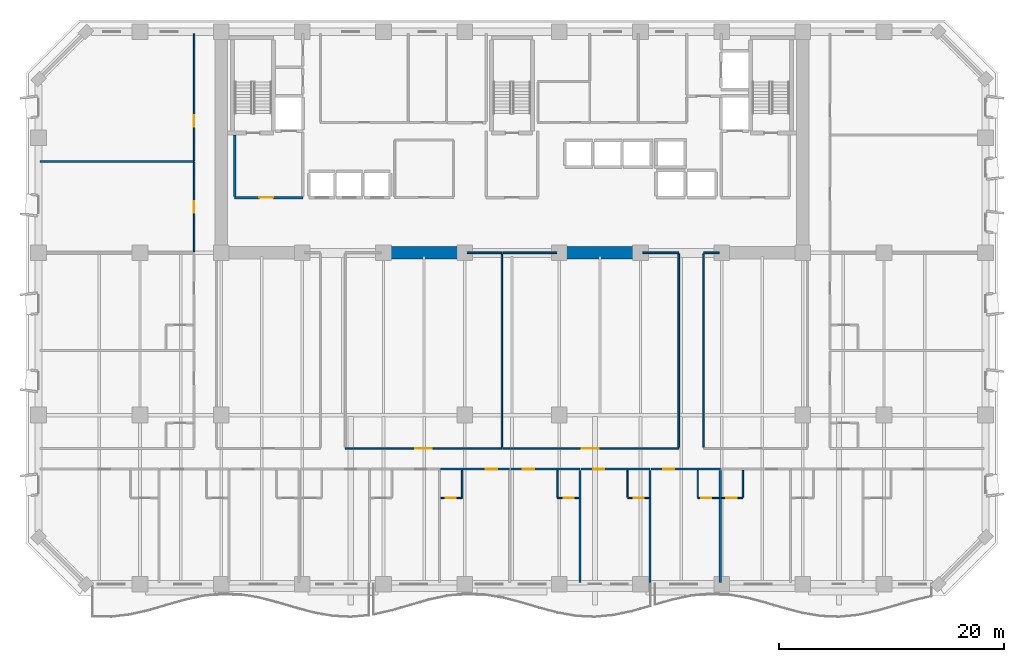
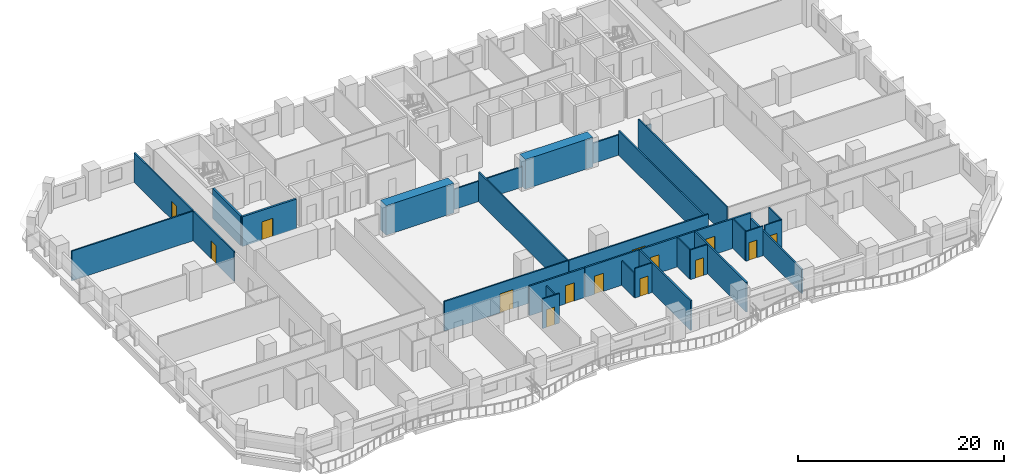
# One storey, part 6 of 15: 33 walls, 14 doors, 14 openings.
"""IFC4 building model written with IfcOpenShell, lengths in metres."""

from ifc_helpers import new_model, si_unit, direction, frame, frame_2d, origin, place, context, subcontext, project, spatial, rectangle, extrude, material, layer, layer_set, type_object, element, fill, save


model = new_model("IFC4")

# Units and contexts
model_context = context("Model", 3, precision=1e-05, world=origin(), true_north=direction((0.0, 1.0)))
body_context = subcontext(model_context, "Body", "Model", "MODEL_VIEW")
ifc_project = project(units=[si_unit("LENGTHUNIT", "METRE"), si_unit("AREAUNIT", "SQUARE_METRE"), si_unit("VOLUMEUNIT", "CUBIC_METRE"), si_unit("PLANEANGLEUNIT", "RADIAN"), si_unit("MASSUNIT", "GRAM", prefix="KILO")], contexts=[model_context])

# Site, building, storey
site_placement = place(None, origin())
site = spatial("IfcSite", under=ifc_project, at=site_placement, CompositionType="ELEMENT")
building_placement = place(site_placement, origin())
building = spatial("IfcBuilding", under=site, at=building_placement, Name="Kaelvorn Grand Hotel", CompositionType="ELEMENT")
storey_placement = place(building_placement, frame((0.0, 0.0, 46.39990234375)))
storey = spatial("IfcBuildingStorey", under=building, at=storey_placement, Name="L09", CompositionType="ELEMENT", Elevation=46.39990234375)

# Walls
ifc_material_1 = material(Name="Concrete C80/95", Category="concrete")
ifc_layer_1 = layer(ifc_material_1, 1.10009765625)
ifc_layer_set_1 = layer_set([ifc_layer_1], Name="Concrete C80/95")
wall_type_1 = type_object("IfcWallType", Name="WL-CORE-1100-C80", PredefinedType="SHEAR", material=ifc_layer_set_1)
for number, where, z_axis, x_axis, name in (
    (1, (30.39990234375, 29.39990234375, 0.0), (0.0, 0.0, 1.0), (1.0, 0.0, 0.0), "L09 Rear-Core Coupled Shear Pier S2"),
    (2, (46.0, 29.39990234375, 0.0), (0.0, 0.0, 1.0), (1.0, 0.0, 0.0), "L09 Rear-Core Coupled Shear Pier S3"),
):
    element("IfcWall", number, at=place(storey_placement, frame(where, z_axis=z_axis, x_axis=x_axis)), inside=storey, type_object=wall_type_1, Name=name, PredefinedType="SHEAR", context=body_context, shape_type="SweptSolid", body=[
        extrude(rectangle(XDim=7.60009765625, YDim=1.10009765625, at=frame_2d((3.800048828125, 0.0))), origin(), (0.0, 0.0, 1.0), 3.510009765625),
    ])

# Wall, opening, door
ifc_material_2 = material(Name="Moisture-Resistant Tile & Stud Board")
ifc_layer_2 = layer(ifc_material_2, 0.125)
ifc_layer_set_2 = layer_set([ifc_layer_2], Name="Moisture-Resistant Tile & Stud Board")
wall_type_2 = type_object("IfcWallType", Name="WL-PART-125-WET", PredefinedType="PARTITIONING", material=ifc_layer_set_2)
wall_1_placement = place(storey_placement, frame((35.669189453125, 7.64990234375, 0.0), z_axis=(0.0, 0.0, 1.0), x_axis=(1.0, 0.0, 0.0)))
wall_1 = element("IfcWall", 3, at=wall_1_placement, inside=storey, type_object=wall_type_2, Name="L09 En-suite Bathroom L09-06 S Partition", PredefinedType="PARTITIONING", context=body_context, shape_type="SweptSolid", body=[
    extrude(rectangle(XDim=1.905029296875, YDim=0.125, at=frame_2d((0.95263671875, 0.0))), origin(), (0.0, 0.0, 1.0), 3.510009765625),
])
opening_1_placement = place(wall_1_placement, frame((0.455078125, 0.0, 0.0)))
opening_1 = element("IfcOpeningElement", 4, at=opening_1_placement, cuts=wall_1, Name="Opening DI4", PredefinedType="OPENING", context=body_context, shape_type="SweptSolid", body=[
    extrude(rectangle(XDim=0.89990234375, YDim=2.10009765625, at=frame_2d((0.449951171875, 1.050048828125))), frame((0.0, 0.072509765625, 0.0), z_axis=(0.0, -1.0, 0.0), x_axis=(1.0, 0.0, 0.0)), (0.0, 0.0, 1.0), 0.14501953125),
])
ifc_material_3 = material(Name="Timber Veneer Leaf", Category="wood")
door_type_1 = type_object("IfcDoorType", Name="DR-INT-BATH-900x2100", OperationType="NOTDEFINED", PredefinedType="DOOR", material=ifc_material_3)
door_1_placement = place(opening_1_placement, origin())
door_1 = element("IfcDoor", 5, at=door_1_placement, inside=storey, type_object=door_type_1, Name="L09 En-suite Bathroom L09-06 Door", OperationType="SINGLE_SWING_RIGHT", OverallHeight=2.10009765625, OverallWidth=0.89990234375, PredefinedType="DOOR", context=body_context, shape_type="SweptSolid", body=[
    extrude(rectangle(XDim=0.89990234375, YDim=2.10009765625, at=frame_2d((0.449951171875, 1.050048828125))), frame((0.0, 0.02490234375, 0.0), z_axis=(0.0, -1.0, 0.0), x_axis=(1.0, 0.0, 0.0)), (0.0, 0.0, 1.0), 0.050048828125),
])
fill(opening_1, door_1)

# Wall
wall_2_placement = place(storey_placement, frame((37.57421875, 7.717529296875, 0.0), z_axis=(0.0, 0.0, 1.0), x_axis=(0.0, 1.0, 0.0)))
element("IfcWall", 6, at=wall_2_placement, inside=storey, type_object=wall_type_2, Name="L09 En-suite Bathroom L09-06 E Partition", PredefinedType="PARTITIONING", context=body_context, shape_type="SweptSolid", body=[
    extrude(rectangle(XDim=2.387451171875, YDim=0.125, at=frame_2d((1.19384765625, 0.0))), origin(), (0.0, 0.0, 1.0), 2.89794921875),
])

# Wall, opening, door
wall_3_placement = place(storey_placement, frame((46.024169921875, 7.64990234375, 0.0), z_axis=(0.0, 0.0, 1.0), x_axis=(1.0, 0.0, 0.0)))
wall_3 = element("IfcWall", 7, at=wall_3_placement, inside=storey, type_object=wall_type_2, Name="L09 En-suite Bathroom L09-07 S Partition", PredefinedType="PARTITIONING", context=body_context, shape_type="SweptSolid", body=[
    extrude(rectangle(XDim=1.905029296875, YDim=0.125, at=frame_2d((0.95263671875, 0.0))), origin(), (0.0, 0.0, 1.0), 3.510009765625),
])
opening_2_placement = place(wall_3_placement, frame((0.550048828125, 0.0, 0.0)))
opening_2 = element("IfcOpeningElement", 8, at=opening_2_placement, cuts=wall_3, Name="Opening DI4", PredefinedType="OPENING", context=body_context, shape_type="SweptSolid", body=[
    extrude(rectangle(XDim=0.89990234375, YDim=2.10009765625, at=frame_2d((0.449951171875, 1.050048828125))), frame((0.0, 0.072509765625, 0.0), z_axis=(0.0, -1.0, 0.0), x_axis=(1.0, 0.0, 0.0)), (0.0, 0.0, 1.0), 0.14501953125),
])
door_2_placement = place(opening_2_placement, origin())
door_2 = element("IfcDoor", 9, at=door_2_placement, inside=storey, type_object=door_type_1, Name="L09 En-suite Bathroom L09-07 Door", OperationType="SINGLE_SWING_RIGHT", OverallHeight=2.10009765625, OverallWidth=0.89990234375, PredefinedType="DOOR", context=body_context, shape_type="SweptSolid", body=[
    extrude(rectangle(XDim=0.89990234375, YDim=2.10009765625, at=frame_2d((0.449951171875, 1.050048828125))), frame((0.0, 0.02490234375, 0.0), z_axis=(0.0, -1.0, 0.0), x_axis=(1.0, 0.0, 0.0)), (0.0, 0.0, 1.0), 0.050048828125),
])
fill(opening_2, door_2)

# Wall
wall_4_placement = place(storey_placement, frame((46.024169921875, 7.717529296875, 0.0), z_axis=(0.0, 0.0, 1.0), x_axis=(0.0, 1.0, 0.0)))
element("IfcWall", 10, at=wall_4_placement, inside=storey, type_object=wall_type_2, Name="L09 En-suite Bathroom L09-07 W Partition", PredefinedType="PARTITIONING", context=body_context, shape_type="SweptSolid", body=[
    extrude(rectangle(XDim=2.387451171875, YDim=0.125, at=frame_2d((1.19384765625, 0.0))), origin(), (0.0, 0.0, 1.0), 2.89794921875),
])

# Wall, opening, door
wall_5_placement = place(storey_placement, frame((52.248779296875, 7.64990234375, 0.0), z_axis=(0.0, 0.0, 1.0), x_axis=(1.0, 0.0, 0.0)))
wall_5 = element("IfcWall", 11, at=wall_5_placement, inside=storey, type_object=wall_type_2, Name="L09 En-suite Bathroom L09-08 S Partition", PredefinedType="PARTITIONING", context=body_context, shape_type="SweptSolid", body=[
    extrude(rectangle(XDim=1.905029296875, YDim=0.125, at=frame_2d((0.95263671875, 0.0))), origin(), (0.0, 0.0, 1.0), 3.510009765625),
])
opening_3_placement = place(wall_5_placement, frame((0.550048828125, 0.0, 0.0)))
opening_3 = element("IfcOpeningElement", 12, at=opening_3_placement, cuts=wall_5, Name="Opening DI4", PredefinedType="OPENING", context=body_context, shape_type="SweptSolid", body=[
    extrude(rectangle(XDim=0.89990234375, YDim=2.10009765625, at=frame_2d((0.449951171875, 1.050048828125))), frame((0.0, 0.072509765625, 0.0), z_axis=(0.0, -1.0, 0.0), x_axis=(1.0, 0.0, 0.0)), (0.0, 0.0, 1.0), 0.14501953125),
])
door_3_placement = place(opening_3_placement, origin())
door_3 = element("IfcDoor", 13, at=door_3_placement, inside=storey, type_object=door_type_1, Name="L09 En-suite Bathroom L09-08 Door", OperationType="SINGLE_SWING_RIGHT", OverallHeight=2.10009765625, OverallWidth=0.89990234375, PredefinedType="DOOR", context=body_context, shape_type="SweptSolid", body=[
    extrude(rectangle(XDim=0.89990234375, YDim=2.10009765625, at=frame_2d((0.449951171875, 1.050048828125))), frame((0.0, 0.02490234375, 0.0), z_axis=(0.0, -1.0, 0.0), x_axis=(1.0, 0.0, 0.0)), (0.0, 0.0, 1.0), 0.050048828125),
])
fill(opening_3, door_3)

# Wall
wall_6_placement = place(storey_placement, frame((52.248779296875, 7.717529296875, 0.0), z_axis=(0.0, 0.0, 1.0), x_axis=(0.0, 1.0, 0.0)))
element("IfcWall", 14, at=wall_6_placement, inside=storey, type_object=wall_type_2, Name="L09 En-suite Bathroom L09-08 W Partition", PredefinedType="PARTITIONING", context=body_context, shape_type="SweptSolid", body=[
    extrude(rectangle(XDim=2.387451171875, YDim=0.125, at=frame_2d((1.19384765625, 0.0))), origin(), (0.0, 0.0, 1.0), 3.510009765625),
])

# Wall, opening, door
wall_7_placement = place(storey_placement, frame((58.473876953125, 7.64990234375, 0.0), z_axis=(0.0, 0.0, 1.0), x_axis=(1.0, 0.0, 0.0)))
wall_7 = element("IfcWall", 15, at=wall_7_placement, inside=storey, type_object=wall_type_2, Name="L09 En-suite Bathroom L09-09 S Partition", PredefinedType="PARTITIONING", context=body_context, shape_type="SweptSolid", body=[
    extrude(rectangle(XDim=1.905029296875, YDim=0.125, at=frame_2d((0.95263671875, 0.0))), origin(), (0.0, 0.0, 1.0), 3.510009765625),
])
opening_4_placement = place(wall_7_placement, frame((0.300048828125, 0.0, 0.0)))
opening_4 = element("IfcOpeningElement", 16, at=opening_4_placement, cuts=wall_7, Name="Opening DI4", PredefinedType="OPENING", context=body_context, shape_type="SweptSolid", body=[
    extrude(rectangle(XDim=0.89990234375, YDim=2.10009765625, at=frame_2d((0.449951171875, 1.050048828125))), frame((0.0, 0.072509765625, 0.0), z_axis=(0.0, -1.0, 0.0), x_axis=(1.0, 0.0, 0.0)), (0.0, 0.0, 1.0), 0.14501953125),
])
door_4_placement = place(opening_4_placement, origin())
door_4 = element("IfcDoor", 17, at=door_4_placement, inside=storey, type_object=door_type_1, Name="L09 En-suite Bathroom L09-09 Door", OperationType="SINGLE_SWING_RIGHT", OverallHeight=2.10009765625, OverallWidth=0.89990234375, PredefinedType="DOOR", context=body_context, shape_type="SweptSolid", body=[
    extrude(rectangle(XDim=0.89990234375, YDim=2.10009765625, at=frame_2d((0.449951171875, 1.050048828125))), frame((0.0, 0.02490234375, 0.0), z_axis=(0.0, -1.0, 0.0), x_axis=(1.0, 0.0, 0.0)), (0.0, 0.0, 1.0), 0.050048828125),
])
fill(opening_4, door_4)

# Wall
wall_8_placement = place(storey_placement, frame((58.473876953125, 7.717529296875, 0.0), z_axis=(0.0, 0.0, 1.0), x_axis=(0.0, 1.0, 0.0)))
element("IfcWall", 18, at=wall_8_placement, inside=storey, type_object=wall_type_2, Name="L09 En-suite Bathroom L09-09 W Partition", PredefinedType="PARTITIONING", context=body_context, shape_type="SweptSolid", body=[
    extrude(rectangle(XDim=2.387451171875, YDim=0.125, at=frame_2d((1.19384765625, 0.0))), origin(), (0.0, 0.0, 1.0), 3.510009765625),
])

# Wall, opening, door
wall_9_placement = place(storey_placement, frame((60.56884765625, 7.64990234375, 0.0), z_axis=(0.0, 0.0, 1.0), x_axis=(1.0, 0.0, 0.0)))
wall_9 = element("IfcWall", 19, at=wall_9_placement, inside=storey, type_object=wall_type_2, Name="L09 En-suite Bathroom L09-10 S Partition", PredefinedType="PARTITIONING", context=body_context, shape_type="SweptSolid", body=[
    extrude(rectangle(XDim=1.905029296875, YDim=0.125, at=frame_2d((0.95263671875, 0.0))), origin(), (0.0, 0.0, 1.0), 3.510009765625),
])
opening_5_placement = place(wall_9_placement, frame((0.455078125, 0.0, 0.0)))
opening_5 = element("IfcOpeningElement", 20, at=opening_5_placement, cuts=wall_9, Name="Opening DI4", PredefinedType="OPENING", context=body_context, shape_type="SweptSolid", body=[
    extrude(rectangle(XDim=0.89990234375, YDim=2.10009765625, at=frame_2d((0.449951171875, 1.050048828125))), frame((0.0, 0.072509765625, 0.0), z_axis=(0.0, -1.0, 0.0), x_axis=(1.0, 0.0, 0.0)), (0.0, 0.0, 1.0), 0.14501953125),
])
door_5_placement = place(opening_5_placement, origin())
door_5 = element("IfcDoor", 21, at=door_5_placement, inside=storey, type_object=door_type_1, Name="L09 En-suite Bathroom L09-10 Door", OperationType="SINGLE_SWING_RIGHT", OverallHeight=2.10009765625, OverallWidth=0.89990234375, PredefinedType="DOOR", context=body_context, shape_type="SweptSolid", body=[
    extrude(rectangle(XDim=0.89990234375, YDim=2.10009765625, at=frame_2d((0.449951171875, 1.050048828125))), frame((0.0, 0.02490234375, 0.0), z_axis=(0.0, -1.0, 0.0), x_axis=(1.0, 0.0, 0.0)), (0.0, 0.0, 1.0), 0.050048828125),
])
fill(opening_5, door_5)

# Wall
wall_10_placement = place(storey_placement, frame((62.473876953125, 7.717529296875, 0.0), z_axis=(0.0, 0.0, 1.0), x_axis=(0.0, 1.0, 0.0)))
element("IfcWall", 22, at=wall_10_placement, inside=storey, type_object=wall_type_2, Name="L09 En-suite Bathroom L09-10 E Partition", PredefinedType="PARTITIONING", context=body_context, shape_type="SweptSolid", body=[
    extrude(rectangle(XDim=2.387451171875, YDim=0.125, at=frame_2d((1.19384765625, 0.0))), origin(), (0.0, 0.0, 1.0), 3.510009765625),
])

# Wall, opening, door
ifc_material_4 = material(Name="Acoustic Gypsum & Stud Partition")
ifc_layer_3 = layer(ifc_material_4, 0.14990234375)
ifc_layer_set_3 = layer_set([ifc_layer_3], Name="Acoustic Gypsum & Stud Partition")
wall_type_3 = type_object("IfcWallType", Name="WL-PART-150-EI60", PredefinedType="PARTITIONING", material=ifc_layer_set_3)
wall_11_placement = place(storey_placement, frame((27.199951171875, 12.050048828125, 0.0), z_axis=(0.0, 0.0, 1.0), x_axis=(1.0, 0.0, 0.0)))
wall_11 = element("IfcWall", 23, at=wall_11_placement, inside=storey, type_object=wall_type_3, Name="L09 Hospitality Tea Kitchen S Partition", PredefinedType="PARTITIONING", context=body_context, shape_type="SweptSolid", body=[
    extrude(rectangle(XDim=13.900146484375, YDim=0.14990234375, at=frame_2d((6.9501953125, 0.0))), origin(), (0.0, 0.0, 1.0), 3.510009765625),
])
opening_6_placement = place(wall_11_placement, frame((6.199951171875, 0.0, 0.0)))
opening_6 = element("IfcOpeningElement", 24, at=opening_6_placement, cuts=wall_11, Name="Opening DI5", PredefinedType="OPENING", context=body_context, shape_type="SweptSolid", body=[
    extrude(rectangle(XDim=1.5, YDim=2.25, at=frame_2d((0.75, 1.125))), frame((0.0, 0.0849609375, 0.0), z_axis=(0.0, -1.0, 0.0), x_axis=(1.0, 0.0, 0.0)), (0.0, 0.0, 1.0), 0.169921875),
])
ifc_material_5 = material(Name="Timber Veneer Fire Leaf", Category="wood")
door_type_2 = type_object("IfcDoorType", Name="DR-INT-SALON-1500x2250", OperationType="DOUBLE_DOOR_SINGLE_SWING", PredefinedType="DOOR", material=ifc_material_5)
door_6_placement = place(opening_6_placement, origin())
door_6 = element("IfcDoor", 25, at=door_6_placement, inside=storey, type_object=door_type_2, Name="L09 Hospitality Tea Kitchen Door", OperationType="DOUBLE_DOOR_SINGLE_SWING", OverallHeight=2.25, OverallWidth=1.5, PredefinedType="DOOR", context=body_context, shape_type="SweptSolid", body=[
    extrude(rectangle(XDim=1.5, YDim=2.25, at=frame_2d((0.75, 1.125))), frame((0.0, 0.02490234375, 0.0), z_axis=(0.0, -1.0, 0.0), x_axis=(1.0, 0.0, 0.0)), (0.0, 0.0, 1.0), 0.050048828125),
])
fill(opening_6, door_6)

# Walls
wall_12_placement = place(storey_placement, frame((38.010009765625, 29.39990234375, 0.0), z_axis=(0.0, 0.0, 1.0), x_axis=(1.0, 0.0, 0.0)))
element("IfcWall", 26, at=wall_12_placement, inside=storey, type_object=wall_type_3, Name="L09 Hospitality Tea Kitchen N Partition (2)", PredefinedType="PARTITIONING", context=body_context, shape_type="SweptSolid", body=[
    extrude(rectangle(XDim=3.090087890625, YDim=0.14990234375, at=frame_2d((1.544921875, 0.0))), origin(), (0.0, 0.0, 1.0), 2.41015625),
])
wall_13_placement = place(storey_placement, frame((41.10009765625, 12.1298828125, 0.0), z_axis=(0.0, 0.0, 1.0), x_axis=(0.0, 1.0, 0.0)))
element("IfcWall", 27, at=wall_13_placement, inside=storey, type_object=wall_type_3, Name="L09 Hospitality Tea Kitchen E Partition", PredefinedType="PARTITIONING", context=body_context, shape_type="SweptSolid", body=[
    extrude(rectangle(XDim=17.190185546875, YDim=0.14990234375, at=frame_2d((8.59521484375, 0.0))), origin(), (0.0, 0.0, 1.0), 3.510009765625),
])

# Wall, opening, door
wall_14_placement = place(storey_placement, frame((41.179931640625, 12.050048828125, 0.0), z_axis=(0.0, 0.0, 1.0), x_axis=(1.0, 0.0, 0.0)))
wall_14 = element("IfcWall", 28, at=wall_14_placement, inside=storey, type_object=wall_type_3, Name="L09 Executive Study Office S Partition", PredefinedType="PARTITIONING", context=body_context, shape_type="SweptSolid", body=[
    extrude(rectangle(XDim=15.6201171875, YDim=0.14990234375, at=frame_2d((7.81005859375, 0.0))), origin(), (0.0, 0.0, 1.0), 3.510009765625),
])
opening_7_placement = place(wall_14_placement, frame((7.02001953125, 0.0, 0.0)))
opening_7 = element("IfcOpeningElement", 29, at=opening_7_placement, cuts=wall_14, Name="Opening DI5", PredefinedType="OPENING", context=body_context, shape_type="SweptSolid", body=[
    extrude(rectangle(XDim=1.5, YDim=2.25, at=frame_2d((0.75, 1.125))), frame((0.0, 0.0849609375, 0.0), z_axis=(0.0, -1.0, 0.0), x_axis=(1.0, 0.0, 0.0)), (0.0, 0.0, 1.0), 0.169921875),
])
door_7_placement = place(opening_7_placement, origin())
door_7 = element("IfcDoor", 30, at=door_7_placement, inside=storey, type_object=door_type_2, Name="L09 Executive Study Office Door", OperationType="DOUBLE_DOOR_SINGLE_SWING", OverallHeight=2.25, OverallWidth=1.5, PredefinedType="DOOR", context=body_context, shape_type="SweptSolid", body=[
    extrude(rectangle(XDim=1.5, YDim=2.25, at=frame_2d((0.75, 1.125))), frame((0.0, 0.02490234375, 0.0), z_axis=(0.0, -1.0, 0.0), x_axis=(1.0, 0.0, 0.0)), (0.0, 0.0, 1.0), 0.050048828125),
])
fill(opening_7, door_7)

# Walls
wall_15_placement = place(storey_placement, frame((41.179931640625, 29.39990234375, 0.0), z_axis=(0.0, 0.0, 1.0), x_axis=(1.0, 0.0, 0.0)))
element("IfcWall", 31, at=wall_15_placement, inside=storey, type_object=wall_type_3, Name="L09 Executive Study Office N Partition (1)", PredefinedType="PARTITIONING", context=body_context, shape_type="SweptSolid", body=[
    extrude(rectangle(XDim=4.81005859375, YDim=0.14990234375, at=frame_2d((2.405029296875, 0.0))), origin(), (0.0, 0.0, 1.0), 2.41015625),
])
wall_16_placement = place(storey_placement, frame((53.610107421875, 29.39990234375, 0.0), z_axis=(0.0, 0.0, 1.0), x_axis=(1.0, 0.0, 0.0)))
element("IfcWall", 32, at=wall_16_placement, inside=storey, type_object=wall_type_3, Name="L09 Executive Study Office N Partition (2)", PredefinedType="PARTITIONING", context=body_context, shape_type="SweptSolid", body=[
    extrude(rectangle(XDim=3.18994140625, YDim=0.14990234375, at=frame_2d((1.594970703125, 0.0))), origin(), (0.0, 0.0, 1.0), 2.41015625),
])
wall_17_placement = place(storey_placement, frame((56.800048828125, 12.1298828125, 0.0), z_axis=(0.0, 0.0, 1.0), x_axis=(0.0, 1.0, 0.0)))
element("IfcWall", 33, at=wall_17_placement, inside=storey, type_object=wall_type_3, Name="L09 Executive Study Office E Partition", PredefinedType="PARTITIONING", context=body_context, shape_type="SweptSolid", body=[
    extrude(rectangle(XDim=17.190185546875, YDim=0.14990234375, at=frame_2d((8.59521484375, 0.0))), origin(), (0.0, 0.0, 1.0), 2.89794921875),
])
wall_18_placement = place(storey_placement, frame((59.0, 29.39990234375, 0.0), z_axis=(0.0, 0.0, 1.0), x_axis=(1.0, 0.0, 0.0)))
element("IfcWall", 34, at=wall_18_placement, inside=storey, type_object=wall_type_3, Name="L09 Wellness Fitness Gym N Partition", PredefinedType="PARTITIONING", context=body_context, shape_type="SweptSolid", body=[
    extrude(rectangle(XDim=1.389892578125, YDim=0.14990234375, at=frame_2d((0.69482421875, 0.0))), origin(), (0.0, 0.0, 1.0), 2.41015625),
])
wall_19_placement = place(storey_placement, frame((59.0, 12.1298828125, 0.0), z_axis=(0.0, 0.0, 1.0), x_axis=(0.0, 1.0, 0.0)))
element("IfcWall", 35, at=wall_19_placement, inside=storey, type_object=wall_type_3, Name="L09 Wellness Fitness Gym W Partition", PredefinedType="PARTITIONING", context=body_context, shape_type="SweptSolid", body=[
    extrude(rectangle(XDim=17.190185546875, YDim=0.14990234375, at=frame_2d((8.59521484375, 0.0))), origin(), (0.0, 0.0, 1.0), 3.510009765625),
])
wall_20_placement = place(storey_placement, frame((0.14990234375, 37.5, 0.0), z_axis=(0.0, 0.0, 1.0), x_axis=(1.0, 0.0, 0.0)))
element("IfcWall", 36, at=wall_20_placement, inside=storey, type_object=wall_type_3, Name="L09 North-West Private Dining Restaurant N Partition", PredefinedType="PARTITIONING", context=body_context, shape_type="SweptSolid", body=[
    extrude(rectangle(XDim=13.650146484375, YDim=0.14990234375, at=frame_2d((6.8251953125, 0.0))), origin(), (0.0, 0.0, 1.0), 3.510009765625),
])

# Wall, opening, door
wall_21_placement = place(storey_placement, frame((13.800048828125, 29.4951171875, 0.0), z_axis=(0.0, 0.0, 1.0), x_axis=(0.0, 1.0, 0.0)))
wall_21 = element("IfcWall", 37, at=wall_21_placement, inside=storey, type_object=wall_type_3, Name="L09 North-West Private Dining Restaurant E Partition", PredefinedType="PARTITIONING", context=body_context, shape_type="SweptSolid", body=[
    extrude(rectangle(XDim=7.9248046875, YDim=0.14990234375, at=frame_2d((3.96240234375, 0.0))), origin(), (0.0, 0.0, 1.0), 3.510009765625),
])
opening_8_placement = place(wall_21_placement, frame((3.455078125, 0.0, 0.0)))
opening_8 = element("IfcOpeningElement", 38, at=opening_8_placement, cuts=wall_21, Name="Opening DI3", PredefinedType="OPENING", context=body_context, shape_type="SweptSolid", body=[
    extrude(rectangle(XDim=1.0, YDim=2.14990234375, at=frame_2d((0.5, 1.074951171875))), frame((0.0, 0.0849609375, 0.0), z_axis=(0.0, -1.0, 0.0), x_axis=(1.0, 0.0, 0.0)), (0.0, 0.0, 1.0), 0.169921875),
])
door_type_3 = type_object("IfcDoorType", Name="DR-INT-GUEST-1000x2150", OperationType="NOTDEFINED", PredefinedType="DOOR", material=ifc_material_5)
door_8_placement = place(opening_8_placement, origin())
door_8 = element("IfcDoor", 39, at=door_8_placement, inside=storey, type_object=door_type_3, Name="L09 North-West Private Dining Restaurant Door", OperationType="SINGLE_SWING_LEFT", OverallHeight=2.14990234375, OverallWidth=1.0, PredefinedType="DOOR", context=body_context, shape_type="SweptSolid", body=[
    extrude(rectangle(XDim=1.0, YDim=2.14990234375, at=frame_2d((0.5, 1.074951171875))), frame((0.0, 0.02490234375, 0.0), z_axis=(0.0, -1.0, 0.0), x_axis=(1.0, 0.0, 0.0)), (0.0, 0.0, 1.0), 0.050048828125),
])
fill(opening_8, door_8)

wall_22_placement = place(storey_placement, frame((13.800048828125, 37.580078125, 0.0), z_axis=(0.0, 0.0, 1.0), x_axis=(0.0, 1.0, 0.0)))
wall_22 = element("IfcWall", 40, at=wall_22_placement, inside=storey, type_object=wall_type_3, Name="L09 North-West Hospitality Tea Kitchen E Partition", PredefinedType="PARTITIONING", context=body_context, shape_type="SweptSolid", body=[
    extrude(rectangle(XDim=11.27001953125, YDim=0.14990234375, at=frame_2d((5.635009765625, 0.0))), origin(), (0.0, 0.0, 1.0), 3.510009765625),
])
opening_9_placement = place(wall_22_placement, frame((3.02001953125, 0.0, 0.0)))
opening_9 = element("IfcOpeningElement", 41, at=opening_9_placement, cuts=wall_22, Name="Opening DI3", PredefinedType="OPENING", context=body_context, shape_type="SweptSolid", body=[
    extrude(rectangle(XDim=1.0, YDim=2.14990234375, at=frame_2d((0.5, 1.074951171875))), frame((0.0, 0.0849609375, 0.0), z_axis=(0.0, -1.0, 0.0), x_axis=(1.0, 0.0, 0.0)), (0.0, 0.0, 1.0), 0.169921875),
])
door_9_placement = place(opening_9_placement, origin())
door_9 = element("IfcDoor", 42, at=door_9_placement, inside=storey, type_object=door_type_3, Name="L09 North-West Hospitality Tea Kitchen Door", OperationType="SINGLE_SWING_RIGHT", OverallHeight=2.14990234375, OverallWidth=1.0, PredefinedType="DOOR", context=body_context, shape_type="SweptSolid", body=[
    extrude(rectangle(XDim=1.0, YDim=2.14990234375, at=frame_2d((0.5, 1.074951171875))), frame((0.0, 0.02490234375, 0.0), z_axis=(0.0, -1.0, 0.0), x_axis=(1.0, 0.0, 0.0)), (0.0, 0.0, 1.0), 0.050048828125),
])
fill(opening_9, door_9)

ifc_layer_4 = layer(ifc_material_4, 0.179931640625)
ifc_layer_set_4 = layer_set([ifc_layer_4], Name="Acoustic Gypsum & Stud Partition")
wall_type_4 = type_object("IfcWallType", Name="WL-PART-180-EI60", PredefinedType="PARTITIONING", material=ifc_layer_set_4)
wall_23_placement = place(storey_placement, frame((35.669189453125, 10.199951171875, 0.0), z_axis=(0.0, 0.0, 1.0), x_axis=(1.0, 0.0, 0.0)))
wall_23 = element("IfcWall", 43, at=wall_23_placement, inside=storey, type_object=wall_type_4, Name="L09 Deluxe King Guest Room L09-06 N Partition", PredefinedType="PARTITIONING", context=body_context, shape_type="SweptSolid", body=[
    extrude(rectangle(XDim=6.130126953125, YDim=0.179931640625, at=frame_2d((3.06494140625, 0.0))), origin(), (0.0, 0.0, 1.0), 3.510009765625),
])
opening_10_placement = place(wall_23_placement, frame((4.020263671875, 0.0, 0.0)))
opening_10 = element("IfcOpeningElement", 44, at=opening_10_placement, cuts=wall_23, Name="Opening DI3", PredefinedType="OPENING", context=body_context, shape_type="SweptSolid", body=[
    extrude(rectangle(XDim=1.0, YDim=2.14990234375, at=frame_2d((0.5, 1.074951171875))), frame((0.0, 0.10009765625, 0.0), z_axis=(0.0, -1.0, 0.0), x_axis=(1.0, 0.0, 0.0)), (0.0, 0.0, 1.0), 0.199951171875),
])
door_10_placement = place(opening_10_placement, origin())
door_10 = element("IfcDoor", 45, at=door_10_placement, inside=storey, type_object=door_type_3, Name="L09 Deluxe King Guest Room L09-06 Door", OperationType="SINGLE_SWING_LEFT", OverallHeight=2.14990234375, OverallWidth=1.0, PredefinedType="DOOR", context=body_context, shape_type="SweptSolid", body=[
    extrude(rectangle(XDim=1.0, YDim=2.14990234375, at=frame_2d((0.5, 1.074951171875))), frame((0.0, 0.02490234375, 0.0), z_axis=(0.0, -1.0, 0.0), x_axis=(1.0, 0.0, 0.0)), (0.0, 0.0, 1.0), 0.050048828125),
])
fill(opening_10, door_10)

wall_24_placement = place(storey_placement, frame((41.894287109375, 10.199951171875, 0.0), z_axis=(0.0, 0.0, 1.0), x_axis=(1.0, 0.0, 0.0)))
wall_24 = element("IfcWall", 46, at=wall_24_placement, inside=storey, type_object=wall_type_4, Name="L09 Deluxe Panoramic Suite L09-07 N Partition", PredefinedType="PARTITIONING", context=body_context, shape_type="SweptSolid", body=[
    extrude(rectangle(XDim=6.1298828125, YDim=0.179931640625, at=frame_2d((3.06494140625, 0.0))), origin(), (0.0, 0.0, 1.0), 3.510009765625),
])
opening_11_placement = place(wall_24_placement, frame((1.0673828125, 0.0, 0.0)))
opening_11 = element("IfcOpeningElement", 47, at=opening_11_placement, cuts=wall_24, Name="Opening DI3", PredefinedType="OPENING", context=body_context, shape_type="SweptSolid", body=[
    extrude(rectangle(XDim=1.0, YDim=2.14990234375, at=frame_2d((0.5, 1.074951171875))), frame((0.0, 0.10009765625, 0.0), z_axis=(0.0, -1.0, 0.0), x_axis=(1.0, 0.0, 0.0)), (0.0, 0.0, 1.0), 0.199951171875),
])
door_11_placement = place(opening_11_placement, origin())
door_11 = element("IfcDoor", 48, at=door_11_placement, inside=storey, type_object=door_type_3, Name="L09 Deluxe Panoramic Suite L09-07 Door", OperationType="SINGLE_SWING_LEFT", OverallHeight=2.14990234375, OverallWidth=1.0, PredefinedType="DOOR", context=body_context, shape_type="SweptSolid", body=[
    extrude(rectangle(XDim=1.0, YDim=2.14990234375, at=frame_2d((0.5, 1.074951171875))), frame((0.0, 0.02490234375, 0.0), z_axis=(0.0, -1.0, 0.0), x_axis=(1.0, 0.0, 0.0)), (0.0, 0.0, 1.0), 0.050048828125),
])
fill(opening_11, door_11)

# Wall
wall_25_placement = place(storey_placement, frame((48.024169921875, 0.14990234375, 0.0), z_axis=(0.0, 0.0, 1.0), x_axis=(0.0, 1.0, 0.0)))
element("IfcWall", 49, at=wall_25_placement, inside=storey, type_object=wall_type_4, Name="L09 Deluxe Panoramic Suite L09-07 E Partition", PredefinedType="PARTITIONING", context=body_context, shape_type="SweptSolid", body=[
    extrude(rectangle(XDim=9.955078125, YDim=0.179931640625, at=frame_2d((4.9775390625, 0.0))), origin(), (0.0, 0.0, 1.0), 3.510009765625),
])

# Wall, opening, door
wall_26_placement = place(storey_placement, frame((48.119140625, 10.199951171875, 0.0), z_axis=(0.0, 0.0, 1.0), x_axis=(1.0, 0.0, 0.0)))
wall_26 = element("IfcWall", 50, at=wall_26_placement, inside=storey, type_object=wall_type_4, Name="L09 Deluxe King Guest Room L09-08 N Partition", PredefinedType="PARTITIONING", context=body_context, shape_type="SweptSolid", body=[
    extrude(rectangle(XDim=6.129638671875, YDim=0.179931640625, at=frame_2d((3.06494140625, 0.0))), origin(), (0.0, 0.0, 1.0), 3.510009765625),
])
opening_12_placement = place(wall_26_placement, frame((1.0673828125, 0.0, 0.0)))
opening_12 = element("IfcOpeningElement", 51, at=opening_12_placement, cuts=wall_26, Name="Opening DI3", PredefinedType="OPENING", context=body_context, shape_type="SweptSolid", body=[
    extrude(rectangle(XDim=1.0, YDim=2.14990234375, at=frame_2d((0.5, 1.074951171875))), frame((0.0, 0.10009765625, 0.0), z_axis=(0.0, -1.0, 0.0), x_axis=(1.0, 0.0, 0.0)), (0.0, 0.0, 1.0), 0.199951171875),
])
door_12_placement = place(opening_12_placement, origin())
door_12 = element("IfcDoor", 52, at=door_12_placement, inside=storey, type_object=door_type_3, Name="L09 Deluxe King Guest Room L09-08 Door", OperationType="SINGLE_SWING_LEFT", OverallHeight=2.14990234375, OverallWidth=1.0, PredefinedType="DOOR", context=body_context, shape_type="SweptSolid", body=[
    extrude(rectangle(XDim=1.0, YDim=2.14990234375, at=frame_2d((0.5, 1.074951171875))), frame((0.0, 0.02490234375, 0.0), z_axis=(0.0, -1.0, 0.0), x_axis=(1.0, 0.0, 0.0)), (0.0, 0.0, 1.0), 0.050048828125),
])
fill(opening_12, door_12)

# Wall
wall_27_placement = place(storey_placement, frame((54.248779296875, 0.14990234375, 0.0), z_axis=(0.0, 0.0, 1.0), x_axis=(0.0, 1.0, 0.0)))
element("IfcWall", 53, at=wall_27_placement, inside=storey, type_object=wall_type_4, Name="L09 Deluxe King Guest Room L09-08 E Partition", PredefinedType="PARTITIONING", context=body_context, shape_type="SweptSolid", body=[
    extrude(rectangle(XDim=9.955078125, YDim=0.179931640625, at=frame_2d((4.9775390625, 0.0))), origin(), (0.0, 0.0, 1.0), 3.510009765625),
])

# Wall, opening, door
wall_28_placement = place(storey_placement, frame((54.343994140625, 10.199951171875, 0.0), z_axis=(0.0, 0.0, 1.0), x_axis=(1.0, 0.0, 0.0)))
wall_28 = element("IfcWall", 54, at=wall_28_placement, inside=storey, type_object=wall_type_4, Name="L09 Deluxe Panoramic Suite L09-09 N Partition", PredefinedType="PARTITIONING", context=body_context, shape_type="SweptSolid", body=[
    extrude(rectangle(XDim=6.1298828125, YDim=0.179931640625, at=frame_2d((3.06494140625, 0.0))), origin(), (0.0, 0.0, 1.0), 3.510009765625),
])
opening_13_placement = place(wall_28_placement, frame((1.0673828125, 0.0, 0.0)))
opening_13 = element("IfcOpeningElement", 55, at=opening_13_placement, cuts=wall_28, Name="Opening DI3", PredefinedType="OPENING", context=body_context, shape_type="SweptSolid", body=[
    extrude(rectangle(XDim=1.0, YDim=2.14990234375, at=frame_2d((0.5, 1.074951171875))), frame((0.0, 0.10009765625, 0.0), z_axis=(0.0, -1.0, 0.0), x_axis=(1.0, 0.0, 0.0)), (0.0, 0.0, 1.0), 0.199951171875),
])
door_13_placement = place(opening_13_placement, origin())
door_13 = element("IfcDoor", 56, at=door_13_placement, inside=storey, type_object=door_type_3, Name="L09 Deluxe Panoramic Suite L09-09 Door", OperationType="SINGLE_SWING_LEFT", OverallHeight=2.14990234375, OverallWidth=1.0, PredefinedType="DOOR", context=body_context, shape_type="SweptSolid", body=[
    extrude(rectangle(XDim=1.0, YDim=2.14990234375, at=frame_2d((0.5, 1.074951171875))), frame((0.0, 0.02490234375, 0.0), z_axis=(0.0, -1.0, 0.0), x_axis=(1.0, 0.0, 0.0)), (0.0, 0.0, 1.0), 0.050048828125),
])
fill(opening_13, door_13)

# Wall
wall_29_placement = place(storey_placement, frame((60.473876953125, 0.14990234375, 0.0), z_axis=(0.0, 0.0, 1.0), x_axis=(0.0, 1.0, 0.0)))
element("IfcWall", 57, at=wall_29_placement, inside=storey, type_object=wall_type_4, Name="L09 Deluxe Panoramic Suite L09-09 E Partition", PredefinedType="PARTITIONING", context=body_context, shape_type="SweptSolid", body=[
    extrude(rectangle(XDim=9.955078125, YDim=0.179931640625, at=frame_2d((4.9775390625, 0.0))), origin(), (0.0, 0.0, 1.0), 2.89794921875),
])

# Wall, opening, door
ifc_material_6 = material(Name="Concrete C40/50", Category="concrete")
ifc_layer_5 = layer(ifc_material_6, 0.219970703125)
ifc_layer_set_5 = layer_set([ifc_layer_5], Name="Concrete C40/50")
wall_type_5 = type_object("IfcWallType", Name="WL-PART-220-EI120", PredefinedType="PARTITIONING", material=ifc_layer_set_5)
wall_30_placement = place(storey_placement, frame((17.39990234375, 34.300048828125, 0.0), z_axis=(0.0, 0.0, 1.0), x_axis=(1.0, 0.0, 0.0)))
wall_30 = element("IfcWall", 58, at=wall_30_placement, inside=storey, type_object=wall_type_5, Name="L09 Firefighting Lift Lobby 1 S Partition", PredefinedType="PARTITIONING", context=body_context, shape_type="SweptSolid", body=[
    extrude(rectangle(XDim=6.050048828125, YDim=0.219970703125, at=frame_2d((3.02490234375, 0.0))), origin(), (0.0, 0.0, 1.0), 3.510009765625),
])
opening_14_placement = place(wall_30_placement, frame((2.199951171875, 0.0, 0.0)))
opening_14 = element("IfcOpeningElement", 59, at=opening_14_placement, cuts=wall_30, Name="Opening DI2", PredefinedType="OPENING", context=body_context, shape_type="SweptSolid", body=[
    extrude(rectangle(XDim=1.199951171875, YDim=2.14990234375, at=frame_2d((0.60009765625, 1.074951171875))), frame((0.0, 0.1201171875, 0.0), z_axis=(0.0, -1.0, 0.0), x_axis=(1.0, 0.0, 0.0)), (0.0, 0.0, 1.0), 0.239990234375),
])
door_type_4 = type_object("IfcDoorType", Name="DR-INT-FFLOB-1200x2150", OperationType="NOTDEFINED", PredefinedType="DOOR", material=ifc_material_5)
door_14_placement = place(opening_14_placement, origin())
door_14 = element("IfcDoor", 60, at=door_14_placement, inside=storey, type_object=door_type_4, Name="L09 Firefighting Lift Lobby 1 Door", OperationType="SINGLE_SWING_RIGHT", OverallHeight=2.14990234375, OverallWidth=1.199951171875, PredefinedType="DOOR", context=body_context, shape_type="SweptSolid", body=[
    extrude(rectangle(XDim=1.199951171875, YDim=2.14990234375, at=frame_2d((0.60009765625, 1.074951171875))), frame((0.0, 0.02490234375, 0.0), z_axis=(0.0, -1.0, 0.0), x_axis=(1.0, 0.0, 0.0)), (0.0, 0.0, 1.0), 0.050048828125),
])
fill(opening_14, door_14)

# Wall
wall_31_placement = place(storey_placement, frame((17.39990234375, 34.4150390625, 0.0), z_axis=(0.0, 0.0, 1.0), x_axis=(0.0, 1.0, 0.0)))
element("IfcWall", 61, at=wall_31_placement, inside=storey, type_object=wall_type_5, Name="L09 Firefighting Lift Lobby 1 W Partition", PredefinedType="PARTITIONING", context=body_context, shape_type="SweptSolid", body=[
    extrude(rectangle(XDim=5.429931640625, YDim=0.219970703125, at=frame_2d((2.71484375, 0.0))), origin(), (0.0, 0.0, 1.0), 3.510009765625),
])

save(model, "model.ifc")
